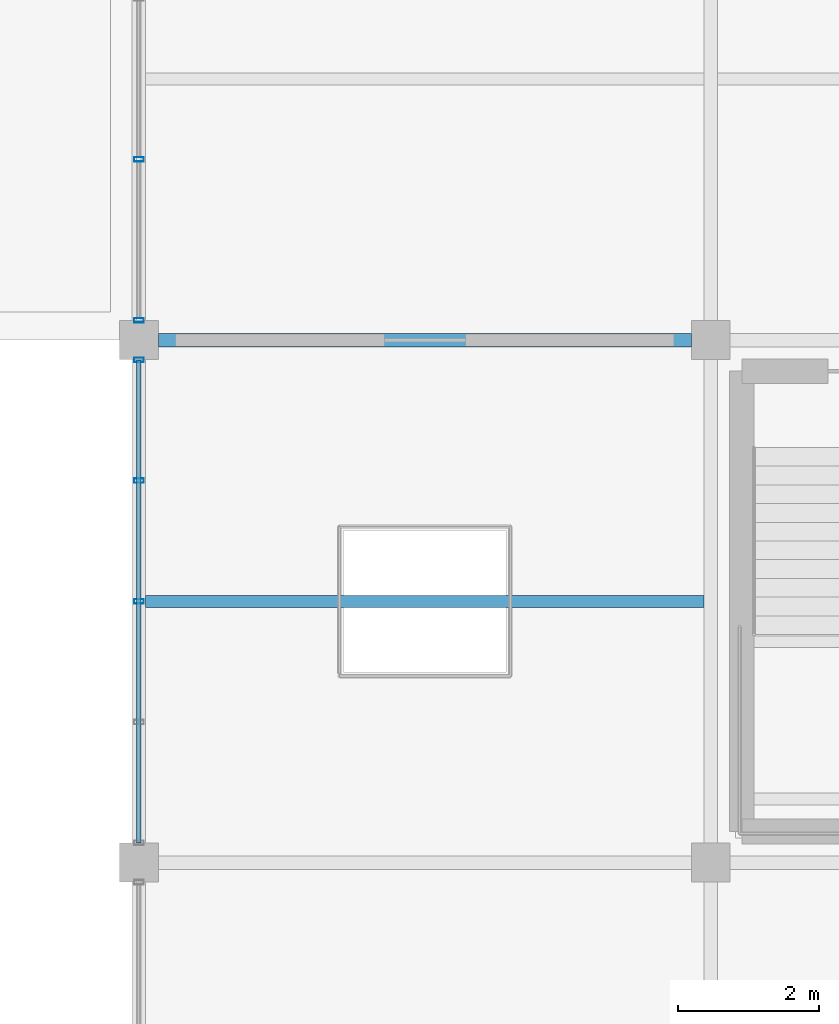
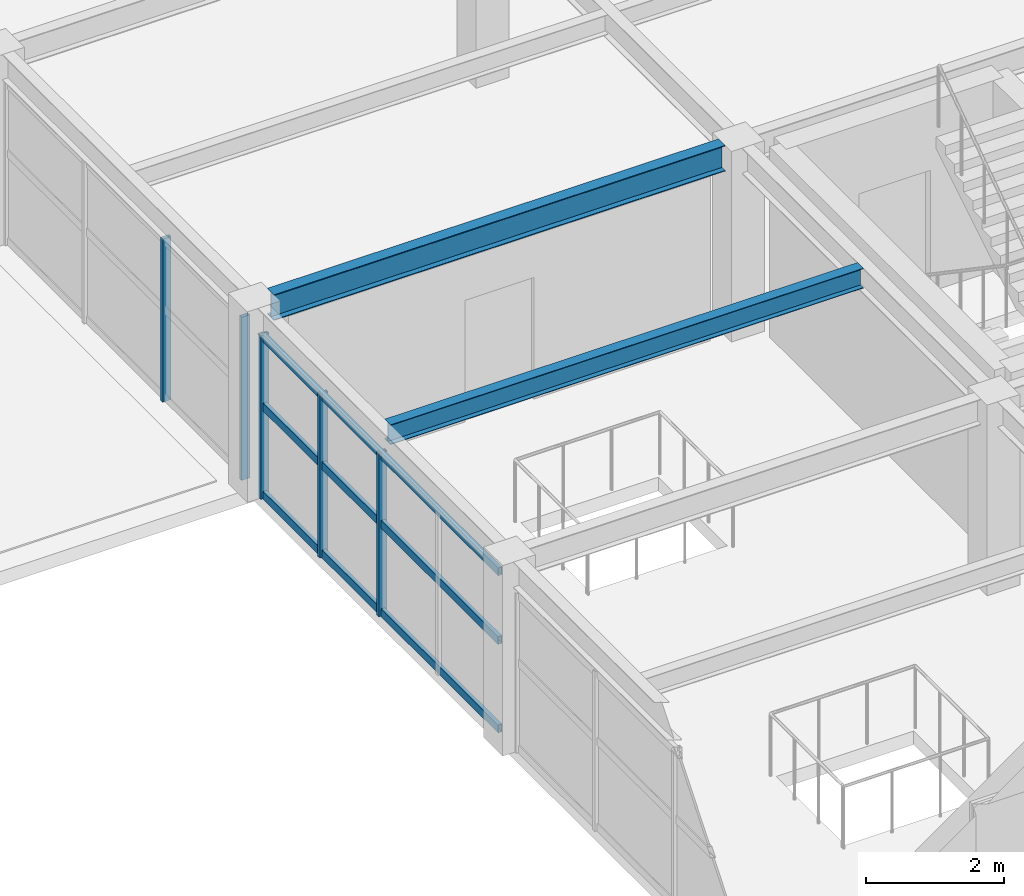
# One storey, part 83 of 121: 8 members, 2 beams, 2 elements without a shape of their own.
"""IFC4 building model written with IfcOpenShell, lengths in metres."""

from ifc_helpers import new_model, si_unit, direction, frame, origin, origin_2d, place, context, subcontext, project, spatial, hollow_rectangle, i_section, extrude, material, material_profile, profile_set, type_object, element, aggregate, save


model = new_model("IFC4")

# Units and contexts
model_context = context("Model", 3, precision=1e-05, world=origin(), true_north=direction((0.0, 1.0)))
body_context = subcontext(model_context, "Body", "Model", "MODEL_VIEW")
ifc_project = project(units=[si_unit("LENGTHUNIT", "METRE"), si_unit("AREAUNIT", "SQUARE_METRE"), si_unit("VOLUMEUNIT", "CUBIC_METRE"), si_unit("PLANEANGLEUNIT", "RADIAN"), si_unit("MASSUNIT", "GRAM", prefix="KILO")], contexts=[model_context])

# Site, building, storey
site_placement = place(None, origin())
site = spatial("IfcSite", under=ifc_project, at=site_placement, CompositionType="ELEMENT")
building_placement = place(site_placement, origin())
building = spatial("IfcBuilding", under=site, at=building_placement, Name="Cimatlan Art Gallery", CompositionType="ELEMENT")
storey_placement = place(building_placement, frame((0.0, 0.0, 10.199951171875)))
storey = spatial("IfcBuildingStorey", under=building, at=storey_placement, Name="L02", CompositionType="ELEMENT", Elevation=10.199951171875)

# Beams
ifc_material_1 = material(Name="Steel ASTM A992 Grade 50", Category="steel")
ifc_material_profile_1 = material_profile(ifc_material_1, i_section(OverallWidth=0.1708984375, OverallDepth=0.35107421875, WebThickness=0.0068359375, FlangeThickness=0.009765625, at=origin_2d()), Name="W14X30")
ifc_profile_set_1 = profile_set([ifc_material_profile_1], Name="Steel ASTM A992 Grade 50")
beam_type_1 = type_object("IfcBeamType", Name="BM-STL-W14X30", PredefinedType="JOIST", material=ifc_profile_set_1)
beam_1_placement = place(storey_placement, frame((147.8955078125, 49.800048828125, 3.194580078125), z_axis=(1.0, 0.0, 0.0), x_axis=(0.0, 1.0, 0.0)))
element("IfcBeam", 1, at=beam_1_placement, inside=storey, type_object=beam_type_1, Name="JST-L02-18-06", PredefinedType="JOIST", context=body_context, shape_type="SweptSolid", body=[
    extrude(i_section(OverallWidth=0.1708984375, OverallDepth=0.35107421875, WebThickness=0.0068359375, FlangeThickness=0.009765625, at=origin_2d()), origin(), (0.0, 0.0, 1.0), 7.908935546875),
])
ifc_material_profile_2 = material_profile(ifc_material_1, i_section(OverallWidth=0.19091796875, OverallDepth=0.45703125, WebThickness=0.009033203125, FlangeThickness=0.014404296875, at=origin_2d()), Name="W18X50")
ifc_profile_set_2 = profile_set([ifc_material_profile_2], Name="Steel ASTM A992 Grade 50")
beam_type_2 = type_object("IfcBeamType", Name="BM-STL-W18X50", PredefinedType="BEAM", material=ifc_profile_set_2)
beam_2_placement = place(storey_placement, frame((148.074951171875, 53.5, 3.1416015625), z_axis=(1.0, 0.0, 0.0), x_axis=(0.0, 1.0, 0.0)))
element("IfcBeam", 2, at=beam_2_placement, inside=storey, type_object=beam_type_2, Name="BM-X-L02-18-07", PredefinedType="BEAM", context=body_context, shape_type="SweptSolid", body=[
    extrude(i_section(OverallWidth=0.19091796875, OverallDepth=0.45703125, WebThickness=0.009033203125, FlangeThickness=0.014404296875, at=origin_2d()), origin(), (0.0, 0.0, 1.0), 7.550048828125),
])

# Curtain wall, members
ifc_material_2 = material(Name="Anodised bronze unitised curtain wall")
curtain_wall_type_1 = type_object("IfcCurtainWallType", Name="CW-V-06842X02898-B4", PredefinedType="NOTDEFINED", material=ifc_material_2)
curtain_wall_1_placement = place(storey_placement, origin())
curtain_wall_1 = element("IfcCurtainWall", 3, at=curtain_wall_1_placement, inside=storey, type_object=curtain_wall_type_1, Name="CW-L02-18-06-W", PredefinedType="NOTDEFINED")
ifc_material_3 = material(Name="Anodised bronze aluminium 6063-T6", Category="aluminium")
ifc_material_profile_3 = material_profile(ifc_material_3, hollow_rectangle(XDim=0.06494140625, YDim=0.139892578125, WallThickness=0.00390625, at=origin_2d()), Name="ALU65X140X4")
ifc_profile_set_3 = profile_set([ifc_material_profile_3], Name="Anodised bronze aluminium 6063-T6")
member_type_1 = type_object("IfcMemberType", Name="CW-MUL-140", PredefinedType="MULLION", material=ifc_profile_set_3)
member_1_placement = place(storey_placement, frame((147.800048828125, 49.800048828125, 0.0), z_axis=(0.0, 0.0, 1.0), x_axis=(0.0, 1.0, 0.0)))
member_1 = element("IfcMember", 4, at=member_1_placement, type_object=member_type_1, Name="CW-L02-18-06-W-M3", PredefinedType="MULLION", context=body_context, shape_type="SweptSolid", body=[
    extrude(hollow_rectangle(XDim=0.06494140625, YDim=0.139892578125, WallThickness=0.00390625, at=origin_2d()), origin(), (0.0, 0.0, 1.0), 2.89794921875),
])
member_2_placement = place(storey_placement, frame((147.800048828125, 51.510498046875, 0.0), z_axis=(0.0, 0.0, 1.0), x_axis=(0.0, 1.0, 0.0)))
member_2 = element("IfcMember", 5, at=member_2_placement, type_object=member_type_1, Name="CW-L02-18-06-W-M4", PredefinedType="MULLION", context=body_context, shape_type="SweptSolid", body=[
    extrude(hollow_rectangle(XDim=0.06494140625, YDim=0.139892578125, WallThickness=0.00390625, at=origin_2d()), origin(), (0.0, 0.0, 1.0), 2.89794921875),
])
member_3_placement = place(storey_placement, frame((147.800048828125, 53.220947265625, 0.0), z_axis=(0.0, 0.0, 1.0), x_axis=(0.0, 1.0, 0.0)))
member_3 = element("IfcMember", 6, at=member_3_placement, type_object=member_type_1, Name="CW-L02-18-06-W-M5", PredefinedType="MULLION", context=body_context, shape_type="SweptSolid", body=[
    extrude(hollow_rectangle(XDim=0.06494140625, YDim=0.139892578125, WallThickness=0.00390625, at=origin_2d()), origin(), (0.0, 0.0, 1.0), 2.89794921875),
])

curtain_wall_type_2 = type_object("IfcCurtainWallType", Name="CW-V-06842X02883-B3", PredefinedType="NOTDEFINED", material=ifc_material_2)
curtain_wall_2_placement = place(storey_placement, origin())
curtain_wall_2 = element("IfcCurtainWall", 7, at=curtain_wall_2_placement, inside=storey, type_object=curtain_wall_type_2, Name="CW-L02-18-07-W", PredefinedType="NOTDEFINED")
member_4_placement = place(storey_placement, frame((147.800048828125, 53.779052734375, 0.0), z_axis=(0.0, 0.0, 1.0), x_axis=(0.0, 1.0, 0.0)))
member_4 = element("IfcMember", 8, at=member_4_placement, type_object=member_type_1, Name="CW-L02-18-07-W-M1", PredefinedType="MULLION", context=body_context, shape_type="SweptSolid", body=[
    extrude(hollow_rectangle(XDim=0.06494140625, YDim=0.139892578125, WallThickness=0.00390625, at=origin_2d()), origin(), (0.0, 0.0, 1.0), 2.883056640625),
])
member_5_placement = place(storey_placement, frame((147.800048828125, 56.0595703125, 0.0), z_axis=(0.0, 0.0, 1.0), x_axis=(0.0, 1.0, 0.0)))
member_5 = element("IfcMember", 9, at=member_5_placement, type_object=member_type_1, Name="CW-L02-18-07-W-M2", PredefinedType="MULLION", context=body_context, shape_type="SweptSolid", body=[
    extrude(hollow_rectangle(XDim=0.06494140625, YDim=0.139892578125, WallThickness=0.00390625, at=origin_2d()), origin(), (0.0, 0.0, 1.0), 2.883056640625),
])
aggregate(curtain_wall_2, [member_4, member_5])

# Member
ifc_material_profile_4 = material_profile(ifc_material_3, hollow_rectangle(XDim=0.06494140625, YDim=0.139892578125, WallThickness=0.00390625, at=origin_2d()), Name="ALU65X140X4")
ifc_profile_set_4 = profile_set([ifc_material_profile_4], Name="Anodised bronze aluminium 6063-T6")
member_type_2 = type_object("IfcMemberType", Name="CW-TRN-140", PredefinedType="USERDEFINED", material=ifc_profile_set_4)
member_6_placement = place(storey_placement, frame((147.800048828125, 46.37890625, 0.06005859375), z_axis=(0.0, 1.0, 0.0), x_axis=(-1.0, 0.0, 0.0)))
member_6 = element("IfcMember", 10, at=member_6_placement, type_object=member_type_2, Name="CW-L02-18-06-W-T1", ObjectType="TRANSOM", PredefinedType="USERDEFINED", context=body_context, shape_type="SweptSolid", body=[
    extrude(hollow_rectangle(XDim=0.06494140625, YDim=0.139892578125, WallThickness=0.00390625, at=origin_2d()), origin(), (0.0, 0.0, 1.0), 6.842041015625),
])

member_7_placement = place(storey_placement, frame((147.800048828125, 46.37890625, 1.623046875), z_axis=(0.0, 1.0, 0.0), x_axis=(-1.0, 0.0, 0.0)))
member_7 = element("IfcMember", 11, at=member_7_placement, type_object=member_type_2, Name="CW-L02-18-06-W-T2", ObjectType="TRANSOM", PredefinedType="USERDEFINED", context=body_context, shape_type="SweptSolid", body=[
    extrude(hollow_rectangle(XDim=0.06494140625, YDim=0.139892578125, WallThickness=0.00390625, at=origin_2d()), origin(), (0.0, 0.0, 1.0), 6.842041015625),
])

member_8_placement = place(storey_placement, frame((147.800048828125, 46.37890625, 2.838134765625), z_axis=(0.0, 1.0, 0.0), x_axis=(-1.0, 0.0, 0.0)))
member_8 = element("IfcMember", 12, at=member_8_placement, type_object=member_type_2, Name="CW-L02-18-06-W-T3", ObjectType="TRANSOM", PredefinedType="USERDEFINED", context=body_context, shape_type="SweptSolid", body=[
    extrude(hollow_rectangle(XDim=0.06494140625, YDim=0.139892578125, WallThickness=0.00390625, at=origin_2d()), origin(), (0.0, 0.0, 1.0), 6.842041015625),
])

aggregate(curtain_wall_1, [member_1, member_2, member_3, member_6, member_7, member_8])

save(model, "model.ifc")
